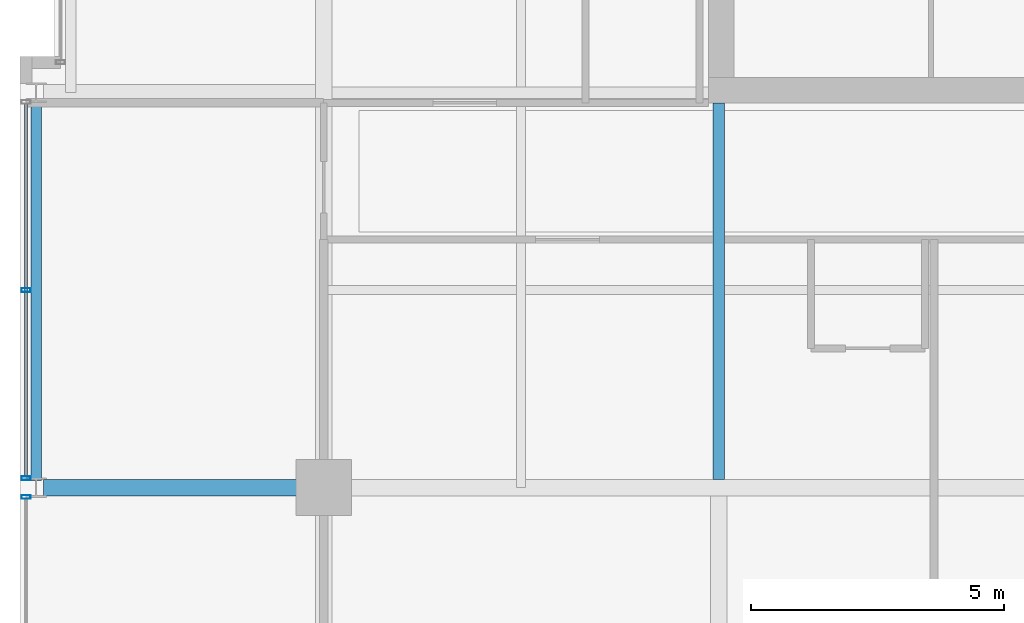
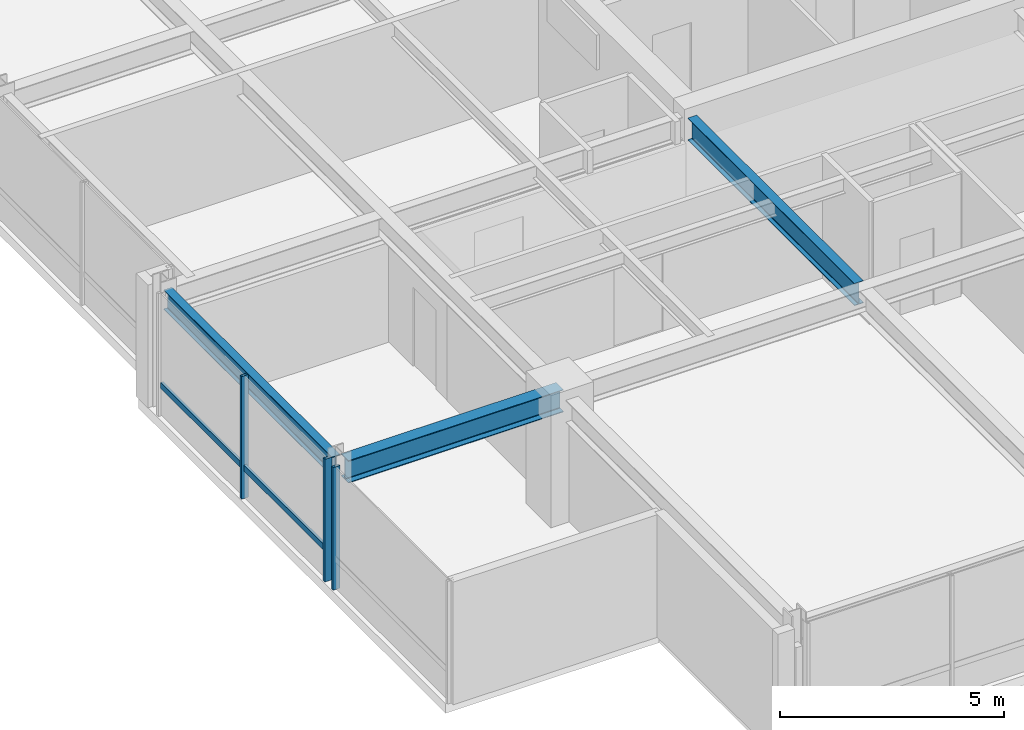
# One storey, part 4 of 31: 4 members, 3 beams, 2 elements without a shape of their own.
"""IFC4 building model written with IfcOpenShell, lengths in metres."""

from ifc_helpers import new_model, si_unit, direction, frame, origin, origin_2d, place, context, subcontext, project, spatial, hollow_rectangle, i_section, extrude, material, layer, layer_set, material_profile, profile_set, type_object, element, aggregate, save


model = new_model("IFC4")

# Units and contexts
model_context = context("Model", 3, precision=1e-05, world=origin(), true_north=direction((0.0, 1.0)))
body_context = subcontext(model_context, "Body", "Model", "MODEL_VIEW")
ifc_project = project(units=[si_unit("LENGTHUNIT", "METRE"), si_unit("AREAUNIT", "SQUARE_METRE"), si_unit("VOLUMEUNIT", "CUBIC_METRE"), si_unit("PLANEANGLEUNIT", "RADIAN"), si_unit("MASSUNIT", "GRAM", prefix="KILO")], contexts=[model_context])

# Site, building, storey
site_placement = place(None, origin())
site = spatial("IfcSite", under=ifc_project, at=site_placement, CompositionType="ELEMENT")
building_placement = place(site_placement, origin())
building = spatial("IfcBuilding", under=site, at=building_placement, Name="Drelvath Grand Hotel", CompositionType="ELEMENT")
storey_placement = place(building_placement, frame((0.0, 0.0, 219.5)))
storey = spatial("IfcBuildingStorey", under=building, at=storey_placement, Name="L57", CompositionType="ELEMENT", Elevation=219.5)

# Curtain wall, member
ifc_material_1 = material(Name="Platinum-Mist Anodised Aluminium Frame", Category="aluminium")
ifc_layer = layer(ifc_material_1, 0.199951171875)
ifc_layer_set = layer_set([ifc_layer], Name="Platinum-Mist Anodised Aluminium Frame")
curtain_wall_type = type_object("IfcCurtainWallType", Name="Stick Curtain Wall CW-05 Platinum Mist High-Rise", PredefinedType="NOTDEFINED", material=ifc_layer_set)
curtain_wall_1_placement = place(storey_placement, origin())
curtain_wall_1 = element("IfcCurtainWall", 1, at=curtain_wall_1_placement, inside=storey, type_object=curtain_wall_type, Name="L57 CW-05 Curtain Wall CW05-L57-WS2", PredefinedType="NOTDEFINED")
ifc_material_profile_1 = material_profile(ifc_material_1, hollow_rectangle(XDim=0.06494140625, YDim=0.159912109375, WallThickness=0.00390625, at=origin_2d()), Name="HSS160X65X4")
ifc_profile_set_1 = profile_set([ifc_material_profile_1], Name="Platinum-Mist Anodised Aluminium Frame")
member_type_1 = type_object("IfcMemberType", Name="Curtain Wall Horizontal Transom CW-05 HSS160X65X4", PredefinedType="USERDEFINED", material=ifc_profile_set_1)
member_1_placement = place(storey_placement, frame((-22.080078125, 11.025390625, 0.8349609375), z_axis=(0.0, 1.0, 0.0), x_axis=(-1.0, 0.0, 0.0)))
member_1 = element("IfcMember", 2, at=member_1_placement, type_object=member_type_1, Name="CW05-L57-WS2 Sill Transom", ObjectType="TRANSOM", PredefinedType="USERDEFINED", context=body_context, shape_type="SweptSolid", body=[
    extrude(hollow_rectangle(XDim=0.06494140625, YDim=0.159912109375, WallThickness=0.00390625, at=origin_2d()), origin(), (0.0, 0.0, 1.0), 7.349365234375),
])

curtain_wall_2_placement = place(storey_placement, origin())
curtain_wall_2 = element("IfcCurtainWall", 3, at=curtain_wall_2_placement, inside=storey, type_object=curtain_wall_type, Name="L57 CW-05 Curtain Wall CW05-L57-WS1", PredefinedType="NOTDEFINED")
ifc_material_profile_2 = material_profile(ifc_material_1, hollow_rectangle(XDim=0.074951171875, YDim=0.179931640625, WallThickness=0.0048828125, at=origin_2d()), Name="HSS180X75X5")
ifc_profile_set_2 = profile_set([ifc_material_profile_2], Name="Platinum-Mist Anodised Aluminium Frame")
member_type_2 = type_object("IfcMemberType", Name="Curtain Wall Vertical Mullion CW-05 HSS180X75X5", PredefinedType="MULLION", material=ifc_profile_set_2)
member_2_placement = place(storey_placement, frame((-22.080078125, 10.61474609375, 0.0), z_axis=(0.0, 0.0, 1.0), x_axis=(0.0, 1.0, 0.0)))
member_2 = element("IfcMember", 4, at=member_2_placement, type_object=member_type_2, Name="CW05-L57-WS1 Mullion 2", PredefinedType="MULLION", context=body_context, shape_type="SweptSolid", body=[
    extrude(hollow_rectangle(XDim=0.074951171875, YDim=0.179931640625, WallThickness=0.0048828125, at=origin_2d()), origin(), (0.0, 0.0, 1.0), 3.340087890625),
])
aggregate(curtain_wall_2, [member_2])

# Member
member_3_placement = place(storey_placement, frame((-22.080078125, 10.9853515625, 0.0), z_axis=(0.0, 0.0, 1.0), x_axis=(0.0, 1.0, 0.0)))
member_3 = element("IfcMember", 5, at=member_3_placement, type_object=member_type_2, Name="CW05-L57-WS2 Mullion 1", PredefinedType="MULLION", context=body_context, shape_type="SweptSolid", body=[
    extrude(hollow_rectangle(XDim=0.074951171875, YDim=0.179931640625, WallThickness=0.0048828125, at=origin_2d()), origin(), (0.0, 0.0, 1.0), 3.340087890625),
])

member_4_placement = place(storey_placement, frame((-22.080078125, 14.699951171875, 0.0), z_axis=(0.0, 0.0, 1.0), x_axis=(0.0, 1.0, 0.0)))
member_4 = element("IfcMember", 6, at=member_4_placement, type_object=member_type_2, Name="CW05-L57-WS2 Mullion 2", PredefinedType="MULLION", context=body_context, shape_type="SweptSolid", body=[
    extrude(hollow_rectangle(XDim=0.074951171875, YDim=0.179931640625, WallThickness=0.0048828125, at=origin_2d()), origin(), (0.0, 0.0, 1.0), 3.340087890625),
])

aggregate(curtain_wall_1, [member_3, member_4, member_1])

# Beams
ifc_material_2 = material(Name="Steel ASTM A992 Gr 50", Category="steel")
ifc_material_profile_3 = material_profile(ifc_material_2, i_section(OverallWidth=0.210205078125, OverallDepth=0.53662109375, WebThickness=0.010986328125, FlangeThickness=0.017333984375, FilletRadius=0.01806640625, at=origin_2d()), Name="W21X68")
ifc_profile_set_3 = profile_set([ifc_material_profile_3], Name="Steel ASTM A992 Gr 50")
beam_type_1 = type_object("IfcBeamType", Name="Perimeter Spandrel Beam W21X68", PredefinedType="SPANDREL", material=ifc_profile_set_3)
beam_1_placement = place(storey_placement, frame((-21.8798828125, 10.93994140625, 3.07177734375), z_axis=(0.0, 1.0, 0.0), x_axis=(-1.0, 0.0, 0.0)))
element("IfcBeam", 7, at=beam_1_placement, inside=storey, type_object=beam_type_1, Name="L57 Spandrel West S", PredefinedType="SPANDREL", context=body_context, shape_type="SweptSolid", body=[
    extrude(i_section(OverallWidth=0.210205078125, OverallDepth=0.53662109375, WebThickness=0.010986328125, FlangeThickness=0.017333984375, FilletRadius=0.01806640625, at=origin_2d()), origin(), (0.0, 0.0, 1.0), 7.52001953125),
])
ifc_material_profile_4 = material_profile(ifc_material_2, i_section(OverallWidth=0.323974609375, OverallDepth=0.611083984375, WebThickness=0.0126953125, FlangeThickness=0.01904296875, FilletRadius=0.02197265625, at=origin_2d()), Name="W24X104")
ifc_profile_set_4 = profile_set([ifc_material_profile_4], Name="Steel ASTM A992 Gr 50")
beam_type_2 = type_object("IfcBeamType", Name="Primary Floor Girder W24X104", PredefinedType="BEAM", material=ifc_profile_set_4)
beam_2_placement = place(storey_placement, frame((-21.739990234375, 10.800048828125, 3.034423828125), z_axis=(1.0, 0.0, 0.0), x_axis=(0.0, 1.0, 0.0)))
element("IfcBeam", 8, at=beam_2_placement, inside=storey, type_object=beam_type_2, Name="L57 West Grid Girder C", PredefinedType="BEAM", context=body_context, shape_type="SweptSolid", body=[
    extrude(i_section(OverallWidth=0.323974609375, OverallDepth=0.611083984375, WebThickness=0.0126953125, FlangeThickness=0.01904296875, FilletRadius=0.02197265625, at=origin_2d()), origin(), (0.0, 0.0, 1.0), 5.5400390625),
])
ifc_material_profile_5 = material_profile(ifc_material_2, i_section(OverallWidth=0.228271484375, OverallDepth=0.607666015625, WebThickness=0.01123046875, FlangeThickness=0.017333984375, FilletRadius=0.02001953125, at=origin_2d()), Name="W24X76")
ifc_profile_set_5 = profile_set([ifc_material_profile_5], Name="Steel ASTM A992 Gr 50")
beam_type_3 = type_object("IfcBeamType", Name="Primary Floor Girder W24X76", PredefinedType="BEAM", material=ifc_profile_set_5)
beam_3_placement = place(storey_placement, frame((-8.39990234375, 10.9619140625, 3.0361328125), z_axis=(0.0, 1.0, 0.0), x_axis=(-1.0, 0.0, 0.0)))
element("IfcBeam", 9, at=beam_3_placement, inside=storey, type_object=beam_type_3, Name="L57 South Core Tie 4", PredefinedType="BEAM", context=body_context, shape_type="SweptSolid", body=[
    extrude(i_section(OverallWidth=0.228271484375, OverallDepth=0.607666015625, WebThickness=0.01123046875, FlangeThickness=0.017333984375, FilletRadius=0.02001953125, at=origin_2d()), origin(), (0.0, 0.0, 1.0), 7.43798828125),
])

save(model, "model.ifc")
